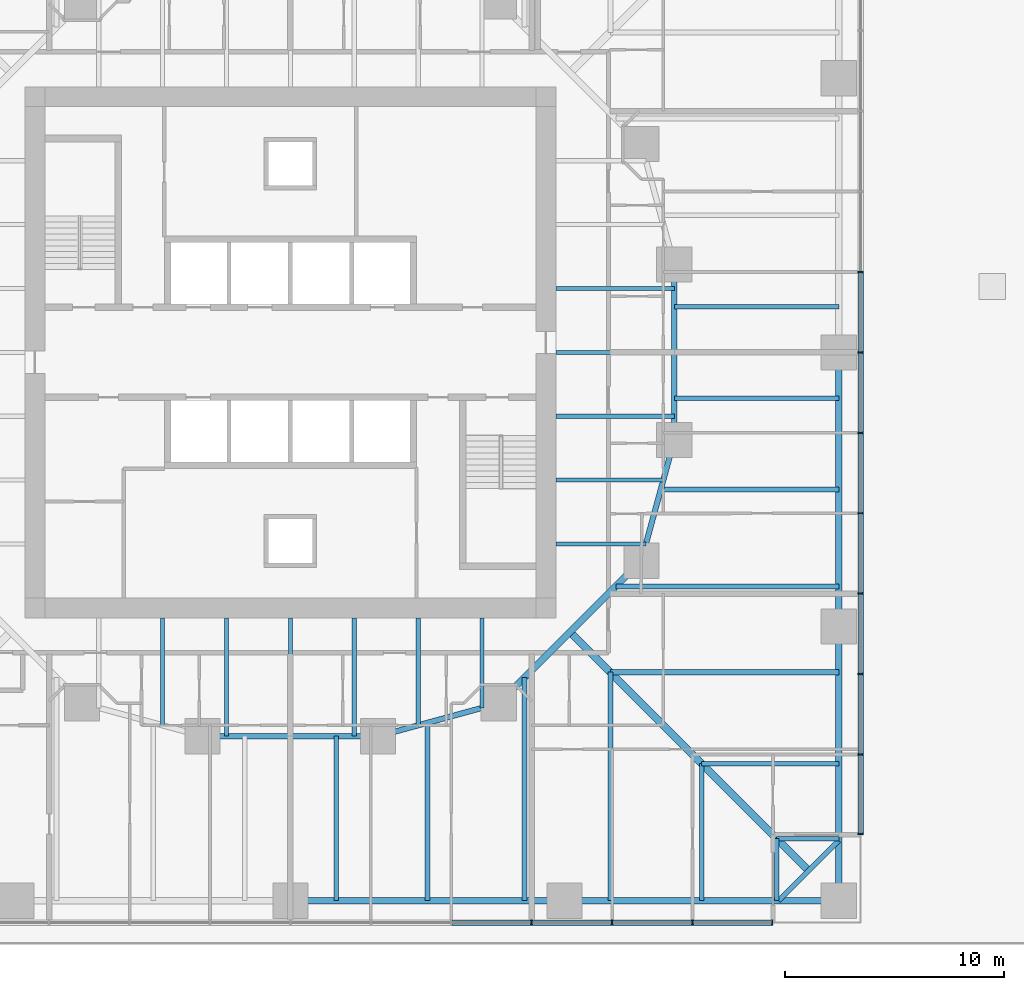
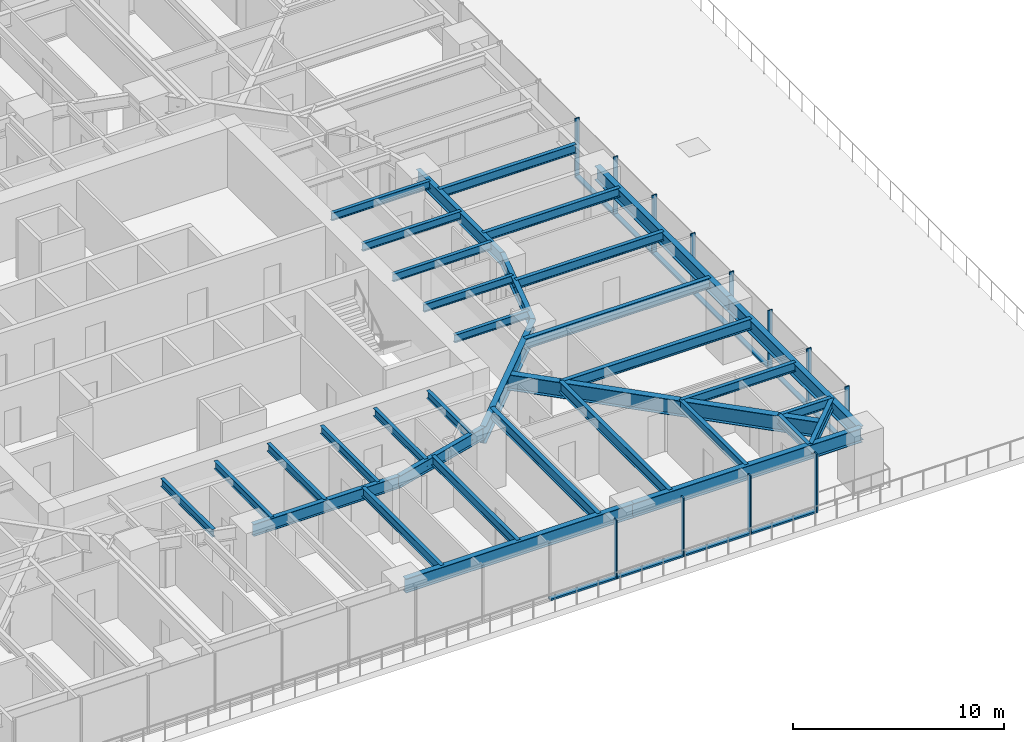
# One storey, part 3 of 15: 35 beams, 23 members, 2 elements without a shape of their own.
"""IFC4 building model written with IfcOpenShell, lengths in metres."""

import ifcopenshell
import ifcopenshell.guid

model = None  # the IFC model being written
_history = None  # IfcOwnerHistory: only IFC2X3 demands one
_inside = {}  # id of a spatial element -> (the spatial element, [elements in it])
_under = {}  # id of a project, library or spatial element -> (it, [spatial elements below it])
_declared = {}  # id of a project -> (the project, [libraries it declares])
_typed = {}  # id of a type object -> (the type object, [elements of that type])
_made_of = {}  # id of a material, layer set ... -> (it, [elements and type objects made of it])


def new_model(schema):
    """Start an empty IFC model of exactly this schema.

    Asked for "IFC4X3", IfcOpenShell would pick the latest addendum, in which some entities
    have other attributes; the version numbers below select the first issue.
    IFC2X3 requires an IfcOwnerHistory on every rooted entity: one is made here for all.
    """
    global model, _history
    if schema == "IFC4X3":
        model = ifcopenshell.file(schema_version=(4, 3, 0, 0))
    else:
        model = ifcopenshell.file(schema=schema)
    _inside.clear()
    _under.clear()
    _declared.clear()
    _typed.clear()
    _made_of.clear()
    _history = None
    if model.schema == "IFC2X3":
        org = make("IfcOrganization", Name="unknown")
        user = make(
            "IfcPersonAndOrganization",
            ThePerson=make("IfcPerson", FamilyName="unknown"),
            TheOrganization=org,
        )
        app = make(
            "IfcApplication",
            ApplicationDeveloper=org,
            Version="unknown",
            ApplicationFullName="unknown",
            ApplicationIdentifier="unknown",
        )
        _history = make(
            "IfcOwnerHistory",
            OwningUser=user,
            OwningApplication=app,
            ChangeAction="ADDED",
            CreationDate=0,
        )
    return model


def make(cls, **values):
    """One entity of the class cls with the attributes given. An attribute that is None is left unset."""
    return model.create_entity(
        cls, **{name: value for name, value in values.items() if value is not None}
    )


def rooted(cls, **values):
    """An entity with a GlobalId (a new one), such as an element, a storey or a relation."""
    return make(cls, GlobalId=ifcopenshell.guid.new(), OwnerHistory=_history, **values)


def si_unit(unit_type, name, prefix=None):
    """IfcSIUnit, for example si_unit("LENGTHUNIT", "METRE", prefix="MILLI")."""
    return make("IfcSIUnit", UnitType=unit_type, Prefix=prefix, Name=name)


def assignment(units):
    """IfcUnitAssignment: the units of a project."""
    return None if units is None else make("IfcUnitAssignment", Units=units)


def point(xyz):
    """IfcCartesianPoint."""
    return None if xyz is None else make("IfcCartesianPoint", Coordinates=xyz)


def direction(xyz):
    """IfcDirection."""
    return None if xyz is None else make("IfcDirection", DirectionRatios=xyz)


def frame(location, z_axis=None, x_axis=None):
    """IfcAxis2Placement3D, a coordinate frame: its origin and axes. An axis left out is left unset."""
    return make(
        "IfcAxis2Placement3D",
        Location=point(location),
        Axis=direction(z_axis),
        RefDirection=direction(x_axis),
    )


def frame_2d(location, x_axis=None):
    """IfcAxis2Placement2D, a coordinate frame in the plane: its origin and x axis."""
    return make(
        "IfcAxis2Placement2D", Location=point(location), RefDirection=direction(x_axis)
    )


def origin():
    """The frame at (0, 0, 0) with its axes left unset."""
    return frame((0.0, 0.0, 0.0))


def origin_2d():
    """The frame at (0, 0) in the plane with its x axis left unset."""
    return frame_2d((0.0, 0.0))


def place(relative_to, where):
    """IfcLocalPlacement: puts the frame where relative to a parent placement (None: the world)."""
    return make(
        "IfcLocalPlacement", PlacementRelTo=relative_to, RelativePlacement=where
    )


def context(
    kind, dimensions, precision=None, world=None, true_north=None, identifier=None
):
    """IfcGeometricRepresentationContext, for example the 3D "Model" context."""
    return make(
        "IfcGeometricRepresentationContext",
        ContextIdentifier=identifier,
        ContextType=kind,
        CoordinateSpaceDimension=dimensions,
        Precision=precision,
        WorldCoordinateSystem=world,
        TrueNorth=true_north,
    )


def subcontext(parent, identifier, kind, view, scale=None):
    """IfcGeometricRepresentationSubContext, for example "Body" below "Model"."""
    return make(
        "IfcGeometricRepresentationSubContext",
        ContextIdentifier=identifier,
        ContextType=kind,
        ParentContext=parent,
        TargetScale=scale,
        TargetView=view,
    )


def project(units=None, contexts=None):
    """IfcProject with its units and contexts."""
    return rooted(
        "IfcProject",
        Name="project",
        RepresentationContexts=contexts,
        UnitsInContext=assignment(units),
    )


def spatial(cls, under=None, at=None, **own):
    """A site, building, storey or space (cls), placed at a placement, below another one or the project."""
    s = rooted(cls, ObjectPlacement=at, **own)
    if under is not None:
        _under.setdefault(under.id(), (under, []))[1].append(s)
    return s


def profile(cls, at=None, kind="AREA", **sizes):
    """A parametric profile (cls). Its sizes go by their IFC names, for example OverallWidth=200.0."""
    return make(cls, ProfileType=kind, Position=at, **sizes)


def rectangle(**sizes):
    """IfcRectangleProfileDef."""
    return profile("IfcRectangleProfileDef", **sizes)


def i_section(**sizes):
    """IfcIShapeProfileDef."""
    return profile("IfcIShapeProfileDef", **sizes)


def extrude(swept, where, along, depth):
    """IfcExtrudedAreaSolid: the profile swept, set in the frame where, extruded along a direction by depth."""
    return make(
        "IfcExtrudedAreaSolid",
        SweptArea=swept,
        Position=where,
        ExtrudedDirection=direction(along),
        Depth=depth,
    )


def shape(context_of_items, identifier, shape_type, items):
    """IfcShapeRepresentation: the items that make up one representation, for example the "Body"."""
    return make(
        "IfcShapeRepresentation",
        ContextOfItems=context_of_items,
        RepresentationIdentifier=identifier,
        RepresentationType=shape_type,
        Items=items,
    )


def material(Name=None, Category=None):
    """IfcMaterial."""
    return make("IfcMaterial", Name=Name, Category=Category)


def material_profile(
    of_material, cross_section, Name=None, Category=None, Priority=None
):
    """IfcMaterialProfile: a cross section and its material."""
    return make(
        "IfcMaterialProfile",
        Name=Name,
        Material=of_material,
        Profile=cross_section,
        Priority=Priority,
        Category=Category,
    )


def profile_set(profiles, Name=None, composite=None):
    """IfcMaterialProfileSet."""
    return make(
        "IfcMaterialProfileSet",
        Name=Name,
        MaterialProfiles=profiles,
        CompositeProfile=composite,
    )


def made_of(thing, what):
    """Note that an element or type object is made of a material, layer set ...; save() writes the relation."""
    if what is not None:
        _made_of.setdefault(what.id(), (what, []))[1].append(thing)
    return thing


def type_object(cls, material=None, **own):
    """A type object (cls), such as IfcWallType, which elements share."""
    return made_of(rooted(cls, **own), material)


def element(
    cls,
    number,
    at=None,
    inside=None,
    cuts=None,
    type_object=None,
    material=None,
    context=None,
    identifier="Body",
    shape_type=None,
    held_by="IfcProductDefinitionShape",
    body=None,
    shapes=None,
    **own,
):
    """One element of the class cls, such as IfcWall. Its Tag is "e" and its number.

    at: its placement. inside: the storey or other place that contains it. cuts: it is an
    opening in that element (IfcRelVoidsElement). A single representation is given by context,
    identifier, shape_type and body (its items); several are given by shapes. held_by: the class
    of the entity that holds the representations. save() writes the other relations.
    """
    e = rooted(cls, Tag="e%d" % number, ObjectPlacement=at, **own)
    if body is not None:
        shapes = [shape(context, identifier, shape_type, body)]
    if shapes is not None:
        e.Representation = make(held_by, Representations=shapes)
    if inside is not None:
        _inside.setdefault(inside.id(), (inside, []))[1].append(e)
    if cuts is not None:
        rooted(
            "IfcRelVoidsElement", RelatingBuildingElement=cuts, RelatedOpeningElement=e
        )
    if type_object is not None:
        _typed.setdefault(type_object.id(), (type_object, []))[1].append(e)
    return made_of(e, material)


def aggregate(whole, parts):
    """IfcRelAggregates: a whole, such as a stair, and the parts it consists of."""
    return rooted("IfcRelAggregates", RelatingObject=whole, RelatedObjects=parts)


def save(model, path):
    """Write the relations noted so far, then the file.

    IfcRelAggregates (storeys below a building ...), IfcRelContainedInSpatialStructure (elements
    in a storey), IfcRelDefinesByType, IfcRelAssociatesMaterial and IfcRelDeclares: one each for
    every whole, place, type object, material and project.
    """
    for whole, parts in _under.values():
        aggregate(whole, parts)
    for where, things in _inside.values():
        rooted(
            "IfcRelContainedInSpatialStructure",
            RelatedElements=things,
            RelatingStructure=where,
        )
    for kind, things in _typed.values():
        rooted("IfcRelDefinesByType", RelatedObjects=things, RelatingType=kind)
    for what, things in _made_of.values():
        rooted("IfcRelAssociatesMaterial", RelatedObjects=things, RelatingMaterial=what)
    for by, libraries in _declared.values():
        rooted("IfcRelDeclares", RelatingContext=by, RelatedDefinitions=libraries)
    model.write(path)


model = new_model("IFC4")

# Units and contexts
model_context = context("Model", 3, precision=1e-05, world=origin(), true_north=direction((0.0, 1.0)))
body_context = subcontext(model_context, "Body", "Model", "MODEL_VIEW")
ifc_project = project(units=[si_unit("LENGTHUNIT", "METRE"), si_unit("AREAUNIT", "SQUARE_METRE"), si_unit("VOLUMEUNIT", "CUBIC_METRE"), si_unit("PLANEANGLEUNIT", "RADIAN"), si_unit("MASSUNIT", "GRAM", prefix="KILO")], contexts=[model_context])

# Site, building, storey
site_placement = place(None, origin())
site = spatial("IfcSite", under=ifc_project, at=site_placement, CompositionType="ELEMENT")
building_placement = place(site_placement, origin())
building = spatial("IfcBuilding", under=site, at=building_placement, Name="Torsade Residences", CompositionType="ELEMENT")
storey_placement = place(building_placement, frame((0.0, 0.0, 15.0)))
storey = spatial("IfcBuildingStorey", under=building, at=storey_placement, Name="L03", CompositionType="ELEMENT", Elevation=15.0)

# Beams
ifc_material_1 = material(Name="Steel grade 300", Category="steel")
ifc_material_profile_1 = material_profile(ifc_material_1, i_section(OverallWidth=0.35009765625, OverallDepth=0.909912109375, WebThickness=0.011962890625, FlangeThickness=0.02490234375, at=origin_2d()), Name="900WB218")
ifc_profile_set_1 = profile_set([ifc_material_profile_1], Name="Steel grade 300")
beam_type_1 = type_object("IfcBeamType", Name="CORNER GIRDER 900WB218", PredefinedType="BEAM", material=ifc_profile_set_1)
beam_1_placement = place(storey_placement, frame((63.625, 6.375, 2.794921875), z_axis=(-0.707106781187, 0.707106781187, 0.0), x_axis=(-0.707106781187, -0.707106781187, 0.0)))
element("IfcBeam", 1, at=beam_1_placement, inside=storey, type_object=beam_type_1, Name="Corner girder 05 L04", PredefinedType="BEAM", context=body_context, shape_type="SweptSolid", body=[
    extrude(i_section(OverallWidth=0.35009765625, OverallDepth=0.909912109375, WebThickness=0.011962890625, FlangeThickness=0.02490234375, at=origin_2d()), origin(), (0.0, 0.0, 1.0), 15.379638671875),
])
ifc_material_2 = material(Name="Steel grade 300", Category="steel")
ifc_material_profile_2 = material_profile(ifc_material_2, i_section(OverallWidth=0.22802734375, OverallDepth=0.60205078125, WebThickness=0.010498046875, FlangeThickness=0.014892578125, FilletRadius=0.013916015625, at=origin_2d()), Name="610UB101")
ifc_profile_set_2 = profile_set([ifc_material_profile_2], Name="Steel grade 300")
beam_type_2 = type_object("IfcBeamType", Name="CORNER TRIMMER 610UB101", PredefinedType="BEAM", material=ifc_profile_set_2)
beam_2_placement = place(storey_placement, frame((65.0, 7.75, 2.948974609375), z_axis=(-0.707106781187, -0.707106781187, 0.0), x_axis=(0.707106781187, -0.707106781187, 0.0)))
element("IfcBeam", 2, at=beam_2_placement, inside=storey, type_object=beam_type_2, Name="Corner trimmer 05 L04", PredefinedType="BEAM", context=body_context, shape_type="SweptSolid", body=[
    extrude(i_section(OverallWidth=0.22802734375, OverallDepth=0.60205078125, WebThickness=0.010498046875, FlangeThickness=0.014892578125, FilletRadius=0.013916015625, at=origin_2d()), origin(), (0.0, 0.0, 1.0), 3.88916015625),
])

# Curtain wall, members
ifc_material_3 = material(Name="Aluminium and glass", Category="aluminium")
curtain_wall_type = type_object("IfcCurtainWallType", Name="FRITTED GLASS CURTAIN WALL LOW ZONE", PredefinedType="NOTDEFINED", material=ifc_material_3)
curtain_wall_1_placement = place(storey_placement, origin())
curtain_wall_1 = element("IfcCurtainWall", 3, at=curtain_wall_1_placement, inside=storey, type_object=curtain_wall_type, Name="Curtain wall L03 face 1", PredefinedType="NOTDEFINED")
ifc_material_4 = material(Name="Aluminium mullion", Category="aluminium")
ifc_material_profile_3 = material_profile(ifc_material_4, rectangle(XDim=0.25, YDim=0.06494140625, at=origin_2d()), Name="CURTAIN WALL MULLION 250x65")
ifc_profile_set_3 = profile_set([ifc_material_profile_3], Name="Aluminium mullion")
member_type_1 = type_object("IfcMemberType", Name="CURTAIN WALL MULLION 250x65", PredefinedType="MULLION", material=ifc_profile_set_3)
member_1_placement = place(storey_placement, frame((51.0, 4.0, 0.0), z_axis=(0.0, 0.0, 1.0), x_axis=(0.0, 1.0, 0.0)))
member_1 = element("IfcMember", 4, at=member_1_placement, type_object=member_type_1, Name="Mullion 10", PredefinedType="MULLION", context=body_context, shape_type="SweptSolid", body=[
    extrude(rectangle(XDim=0.25, YDim=0.06494140625, at=origin_2d()), origin(), (0.0, 0.0, 1.0), 3.39990234375),
])
member_2_placement = place(storey_placement, frame((54.666748046875, 4.0, 0.0), z_axis=(0.0, 0.0, 1.0), x_axis=(0.0, 1.0, 0.0)))
member_2 = element("IfcMember", 5, at=member_2_placement, type_object=member_type_1, Name="Mullion 11", PredefinedType="MULLION", context=body_context, shape_type="SweptSolid", body=[
    extrude(rectangle(XDim=0.25, YDim=0.06494140625, at=origin_2d()), origin(), (0.0, 0.0, 1.0), 3.39990234375),
])
member_3_placement = place(storey_placement, frame((58.333251953125, 4.0, 0.0), z_axis=(0.0, 0.0, 1.0), x_axis=(0.0, 1.0, 0.0)))
member_3 = element("IfcMember", 6, at=member_3_placement, type_object=member_type_1, Name="Mullion 12", PredefinedType="MULLION", context=body_context, shape_type="SweptSolid", body=[
    extrude(rectangle(XDim=0.25, YDim=0.06494140625, at=origin_2d()), origin(), (0.0, 0.0, 1.0), 3.39990234375),
])
member_4_placement = place(storey_placement, frame((61.967529296875, 4.0, 0.0), z_axis=(0.0, 0.0, 1.0), x_axis=(0.0, 1.0, 0.0)))
member_4 = element("IfcMember", 7, at=member_4_placement, type_object=member_type_1, Name="Mullion 13", PredefinedType="MULLION", context=body_context, shape_type="SweptSolid", body=[
    extrude(rectangle(XDim=0.25, YDim=0.06494140625, at=origin_2d()), origin(), (0.0, 0.0, 1.0), 3.39990234375),
])

curtain_wall_2_placement = place(storey_placement, origin())
curtain_wall_2 = element("IfcCurtainWall", 8, at=curtain_wall_2_placement, inside=storey, type_object=curtain_wall_type, Name="Curtain wall L03 face 4", PredefinedType="NOTDEFINED")
member_5_placement = place(storey_placement, frame((66.0, 8.032470703125, 0.0), z_axis=(0.0, 0.0, 1.0), x_axis=(-1.0, 0.0, 0.0)))
member_5 = element("IfcMember", 9, at=member_5_placement, type_object=member_type_1, Name="Mullion 1", PredefinedType="MULLION", context=body_context, shape_type="SweptSolid", body=[
    extrude(rectangle(XDim=0.25, YDim=0.06494140625, at=origin_2d()), origin(), (0.0, 0.0, 1.0), 3.39990234375),
])
member_6_placement = place(storey_placement, frame((66.0, 11.666748046875, 0.0), z_axis=(0.0, 0.0, 1.0), x_axis=(-1.0, 0.0, 0.0)))
member_6 = element("IfcMember", 10, at=member_6_placement, type_object=member_type_1, Name="Mullion 2", PredefinedType="MULLION", context=body_context, shape_type="SweptSolid", body=[
    extrude(rectangle(XDim=0.25, YDim=0.06494140625, at=origin_2d()), origin(), (0.0, 0.0, 1.0), 3.39990234375),
])
member_7_placement = place(storey_placement, frame((66.0, 15.333251953125, 0.0), z_axis=(0.0, 0.0, 1.0), x_axis=(-1.0, 0.0, 0.0)))
member_7 = element("IfcMember", 11, at=member_7_placement, type_object=member_type_1, Name="Mullion 3", PredefinedType="MULLION", context=body_context, shape_type="SweptSolid", body=[
    extrude(rectangle(XDim=0.25, YDim=0.06494140625, at=origin_2d()), origin(), (0.0, 0.0, 1.0), 3.39990234375),
])
member_8_placement = place(storey_placement, frame((66.0, 19.0, 0.0), z_axis=(0.0, 0.0, 1.0), x_axis=(-1.0, 0.0, 0.0)))
member_8 = element("IfcMember", 12, at=member_8_placement, type_object=member_type_1, Name="Mullion 4", PredefinedType="MULLION", context=body_context, shape_type="SweptSolid", body=[
    extrude(rectangle(XDim=0.25, YDim=0.06494140625, at=origin_2d()), origin(), (0.0, 0.0, 1.0), 3.39990234375),
])
member_9_placement = place(storey_placement, frame((66.0, 22.666748046875, 0.0), z_axis=(0.0, 0.0, 1.0), x_axis=(-1.0, 0.0, 0.0)))
member_9 = element("IfcMember", 13, at=member_9_placement, type_object=member_type_1, Name="Mullion 5", PredefinedType="MULLION", context=body_context, shape_type="SweptSolid", body=[
    extrude(rectangle(XDim=0.25, YDim=0.06494140625, at=origin_2d()), origin(), (0.0, 0.0, 1.0), 3.39990234375),
])
member_10_placement = place(storey_placement, frame((66.0, 26.333251953125, 0.0), z_axis=(0.0, 0.0, 1.0), x_axis=(-1.0, 0.0, 0.0)))
member_10 = element("IfcMember", 14, at=member_10_placement, type_object=member_type_1, Name="Mullion 6", PredefinedType="MULLION", context=body_context, shape_type="SweptSolid", body=[
    extrude(rectangle(XDim=0.25, YDim=0.06494140625, at=origin_2d()), origin(), (0.0, 0.0, 1.0), 3.39990234375),
])
member_11_placement = place(storey_placement, frame((66.0, 30.0, 0.0), z_axis=(0.0, 0.0, 1.0), x_axis=(-1.0, 0.0, 0.0)))
member_11 = element("IfcMember", 15, at=member_11_placement, type_object=member_type_1, Name="Mullion 7", PredefinedType="MULLION", context=body_context, shape_type="SweptSolid", body=[
    extrude(rectangle(XDim=0.25, YDim=0.06494140625, at=origin_2d()), origin(), (0.0, 0.0, 1.0), 3.39990234375),
])
member_12_placement = place(storey_placement, frame((66.0, 33.666748046875, 0.0), z_axis=(0.0, 0.0, 1.0), x_axis=(-1.0, 0.0, 0.0)))
member_12 = element("IfcMember", 16, at=member_12_placement, type_object=member_type_1, Name="Mullion 8", PredefinedType="MULLION", context=body_context, shape_type="SweptSolid", body=[
    extrude(rectangle(XDim=0.25, YDim=0.06494140625, at=origin_2d()), origin(), (0.0, 0.0, 1.0), 3.39990234375),
])

# Member
ifc_material_5 = material(Name="Aluminium transom", Category="aluminium")
ifc_material_profile_4 = material_profile(ifc_material_5, rectangle(XDim=0.25, YDim=0.10009765625, at=origin_2d()), Name="CURTAIN WALL TRANSOM 250x100")
ifc_profile_set_4 = profile_set([ifc_material_profile_4], Name="Aluminium transom")
member_type_2 = type_object("IfcMemberType", Name="CURTAIN WALL TRANSOM 250x100", PredefinedType="USERDEFINED", material=ifc_profile_set_4)
member_13_placement = place(storey_placement, frame((47.36572265625, 4.0, 0.050048828125), z_axis=(1.0, 0.0, 0.0), x_axis=(0.0, 1.0, 0.0)))
member_13 = element("IfcMember", 17, at=member_13_placement, type_object=member_type_2, Name="Transom 9.1", ObjectType="TRANSOM", PredefinedType="USERDEFINED", context=body_context, shape_type="SweptSolid", body=[
    extrude(rectangle(XDim=0.25, YDim=0.10009765625, at=origin_2d()), origin(), (0.0, 0.0, 1.0), 3.601806640625),
])

member_14_placement = place(storey_placement, frame((51.032470703125, 4.0, 0.050048828125), z_axis=(1.0, 0.0, 0.0), x_axis=(0.0, 1.0, 0.0)))
member_14 = element("IfcMember", 18, at=member_14_placement, type_object=member_type_2, Name="Transom 10.1", ObjectType="TRANSOM", PredefinedType="USERDEFINED", context=body_context, shape_type="SweptSolid", body=[
    extrude(rectangle(XDim=0.25, YDim=0.10009765625, at=origin_2d()), origin(), (0.0, 0.0, 1.0), 3.601806640625),
])

member_15_placement = place(storey_placement, frame((54.69921875, 4.0, 0.050048828125), z_axis=(1.0, 0.0, 0.0), x_axis=(0.0, 1.0, 0.0)))
member_15 = element("IfcMember", 19, at=member_15_placement, type_object=member_type_2, Name="Transom 11.1", ObjectType="TRANSOM", PredefinedType="USERDEFINED", context=body_context, shape_type="SweptSolid", body=[
    extrude(rectangle(XDim=0.25, YDim=0.10009765625, at=origin_2d()), origin(), (0.0, 0.0, 1.0), 3.6015625),
])

member_16_placement = place(storey_placement, frame((58.36572265625, 4.0, 0.050048828125), z_axis=(1.0, 0.0, 0.0), x_axis=(0.0, 1.0, 0.0)))
member_16 = element("IfcMember", 20, at=member_16_placement, type_object=member_type_2, Name="Transom 12.1", ObjectType="TRANSOM", PredefinedType="USERDEFINED", context=body_context, shape_type="SweptSolid", body=[
    extrude(rectangle(XDim=0.25, YDim=0.10009765625, at=origin_2d()), origin(), (0.0, 0.0, 1.0), 3.5693359375),
])

aggregate(curtain_wall_1, [member_1, member_2, member_3, member_4, member_13, member_14, member_15, member_16])

member_17_placement = place(storey_placement, frame((66.0, 8.06494140625, 0.050048828125), z_axis=(0.0, 1.0, 0.0), x_axis=(-1.0, 0.0, 0.0)))
member_17 = element("IfcMember", 21, at=member_17_placement, type_object=member_type_2, Name="Transom 1.1", ObjectType="TRANSOM", PredefinedType="USERDEFINED", context=body_context, shape_type="SweptSolid", body=[
    extrude(rectangle(XDim=0.25, YDim=0.10009765625, at=origin_2d()), origin(), (0.0, 0.0, 1.0), 3.5693359375),
])

member_18_placement = place(storey_placement, frame((66.0, 11.69921875, 0.050048828125), z_axis=(0.0, 1.0, 0.0), x_axis=(-1.0, 0.0, 0.0)))
member_18 = element("IfcMember", 22, at=member_18_placement, type_object=member_type_2, Name="Transom 2.1", ObjectType="TRANSOM", PredefinedType="USERDEFINED", context=body_context, shape_type="SweptSolid", body=[
    extrude(rectangle(XDim=0.25, YDim=0.10009765625, at=origin_2d()), origin(), (0.0, 0.0, 1.0), 3.6015625),
])

member_19_placement = place(storey_placement, frame((66.0, 15.36572265625, 0.050048828125), z_axis=(0.0, 1.0, 0.0), x_axis=(-1.0, 0.0, 0.0)))
member_19 = element("IfcMember", 23, at=member_19_placement, type_object=member_type_2, Name="Transom 3.1", ObjectType="TRANSOM", PredefinedType="USERDEFINED", context=body_context, shape_type="SweptSolid", body=[
    extrude(rectangle(XDim=0.25, YDim=0.10009765625, at=origin_2d()), origin(), (0.0, 0.0, 1.0), 3.601806640625),
])

member_20_placement = place(storey_placement, frame((66.0, 19.032470703125, 0.050048828125), z_axis=(0.0, 1.0, 0.0), x_axis=(-1.0, 0.0, 0.0)))
member_20 = element("IfcMember", 24, at=member_20_placement, type_object=member_type_2, Name="Transom 4.1", ObjectType="TRANSOM", PredefinedType="USERDEFINED", context=body_context, shape_type="SweptSolid", body=[
    extrude(rectangle(XDim=0.25, YDim=0.10009765625, at=origin_2d()), origin(), (0.0, 0.0, 1.0), 3.601806640625),
])

member_21_placement = place(storey_placement, frame((66.0, 22.69921875, 0.050048828125), z_axis=(0.0, 1.0, 0.0), x_axis=(-1.0, 0.0, 0.0)))
member_21 = element("IfcMember", 25, at=member_21_placement, type_object=member_type_2, Name="Transom 5.1", ObjectType="TRANSOM", PredefinedType="USERDEFINED", context=body_context, shape_type="SweptSolid", body=[
    extrude(rectangle(XDim=0.25, YDim=0.10009765625, at=origin_2d()), origin(), (0.0, 0.0, 1.0), 3.6015625),
])

member_22_placement = place(storey_placement, frame((66.0, 26.36572265625, 0.050048828125), z_axis=(0.0, 1.0, 0.0), x_axis=(-1.0, 0.0, 0.0)))
member_22 = element("IfcMember", 26, at=member_22_placement, type_object=member_type_2, Name="Transom 6.1", ObjectType="TRANSOM", PredefinedType="USERDEFINED", context=body_context, shape_type="SweptSolid", body=[
    extrude(rectangle(XDim=0.25, YDim=0.10009765625, at=origin_2d()), origin(), (0.0, 0.0, 1.0), 3.601806640625),
])

member_23_placement = place(storey_placement, frame((66.0, 30.032470703125, 0.050048828125), z_axis=(0.0, 1.0, 0.0), x_axis=(-1.0, 0.0, 0.0)))
member_23 = element("IfcMember", 27, at=member_23_placement, type_object=member_type_2, Name="Transom 7.1", ObjectType="TRANSOM", PredefinedType="USERDEFINED", context=body_context, shape_type="SweptSolid", body=[
    extrude(rectangle(XDim=0.25, YDim=0.10009765625, at=origin_2d()), origin(), (0.0, 0.0, 1.0), 3.601806640625),
])

aggregate(curtain_wall_2, [member_5, member_6, member_7, member_8, member_9, member_10, member_11, member_12, member_17, member_18, member_19, member_20, member_21, member_22, member_23])

# Beams
ifc_material_6 = material(Name="Steel grade 300", Category="steel")
ifc_material_profile_5 = material_profile(ifc_material_6, i_section(OverallWidth=0.300048828125, OverallDepth=0.81591796875, WebThickness=0.010009765625, FlangeThickness=0.028076171875, at=origin_2d()), Name="800WB192")
ifc_profile_set_5 = profile_set([ifc_material_profile_5], Name="Steel grade 300")
beam_type_3 = type_object("IfcBeamType", Name="EDGE BEAM 800WB192", PredefinedType="SPANDREL", material=ifc_profile_set_5)
for number, where, z_axis, x_axis, name in (
    (28, (40.0, 5.0, 2.842041015625), (1.0, 0.0, 0.0), (0.0, 1.0, 0.0), "Edge beam 03 L04"),
    (29, (52.5, 5.0, 2.842041015625), (1.0, 0.0, 0.0), (0.0, 1.0, 0.0), "Edge beam 04 L04"),
    (30, (65.0, 5.0, 2.842041015625), (0.0, 1.0, 0.0), (-1.0, 0.0, 0.0), "Edge beam 05 L04"),
    (31, (65.0, 17.5, 2.842041015625), (0.0, 1.0, 0.0), (-1.0, 0.0, 0.0), "Edge beam 06 L04"),
):
    element("IfcBeam", number, at=place(storey_placement, frame(where, z_axis=z_axis, x_axis=x_axis)), inside=storey, type_object=beam_type_3, Name=name, PredefinedType="SPANDREL", context=body_context, shape_type="SweptSolid", body=[
        extrude(i_section(OverallWidth=0.300048828125, OverallDepth=0.81591796875, WebThickness=0.010009765625, FlangeThickness=0.028076171875, at=origin_2d()), origin(), (0.0, 0.0, 1.0), 12.5),
    ])
ifc_material_7 = material(Name="Steel grade 300", Category="steel")
ifc_material_profile_6 = material_profile(ifc_material_7, i_section(OverallWidth=0.18994140625, OverallDepth=0.4541015625, WebThickness=0.008544921875, FlangeThickness=0.0126953125, FilletRadius=0.011474609375, at=origin_2d()), Name="460UB67.1")
ifc_profile_set_6 = profile_set([ifc_material_profile_6], Name="Steel grade 300")
beam_type_4 = type_object("IfcBeamType", Name="INNER FLOOR BEAM 460UB67.1", PredefinedType="JOIST", material=ifc_profile_set_6)
beam_3_placement = place(storey_placement, frame((48.737548828125, 17.89990234375, 3.02294921875), z_axis=(0.0, -1.0, 0.0), x_axis=(1.0, 0.0, 0.0)))
element("IfcBeam", 32, at=beam_3_placement, inside=storey, type_object=beam_type_4, Name="Inner floor beam IS01 L04", PredefinedType="JOIST", context=body_context, shape_type="SweptSolid", body=[
    extrude(i_section(OverallWidth=0.18994140625, OverallDepth=0.4541015625, WebThickness=0.008544921875, FlangeThickness=0.0126953125, FilletRadius=0.011474609375, at=origin_2d()), origin(), (0.0, 0.0, 1.0), 4.10791015625),
])
beam_4_placement = place(storey_placement, frame((45.824951171875, 17.89990234375, 3.02294921875), z_axis=(0.0, -1.0, 0.0), x_axis=(1.0, 0.0, 0.0)))
element("IfcBeam", 33, at=beam_4_placement, inside=storey, type_object=beam_type_4, Name="Inner floor beam IS02 L04", PredefinedType="JOIST", context=body_context, shape_type="SweptSolid", body=[
    extrude(i_section(OverallWidth=0.18994140625, OverallDepth=0.4541015625, WebThickness=0.008544921875, FlangeThickness=0.0126953125, FilletRadius=0.011474609375, at=origin_2d()), origin(), (0.0, 0.0, 1.0), 4.902099609375),
])
for number, where, z_axis, x_axis, name in (
    (34, (42.91259765625, 17.89990234375, 3.02294921875), (0.0, -1.0, 0.0), (1.0, 0.0, 0.0), "Inner floor beam IS03 L04"),
    (35, (40.0, 17.89990234375, 3.02294921875), (0.0, -1.0, 0.0), (1.0, 0.0, 0.0), "Inner floor beam IS04 L04"),
    (36, (37.08740234375, 17.89990234375, 3.02294921875), (0.0, -1.0, 0.0), (1.0, 0.0, 0.0), "Inner floor beam IS05 L04"),
):
    element("IfcBeam", number, at=place(storey_placement, frame(where, z_axis=z_axis, x_axis=x_axis)), inside=storey, type_object=beam_type_4, Name=name, PredefinedType="JOIST", context=body_context, shape_type="SweptSolid", body=[
        extrude(i_section(OverallWidth=0.18994140625, OverallDepth=0.4541015625, WebThickness=0.008544921875, FlangeThickness=0.0126953125, FilletRadius=0.011474609375, at=origin_2d()), origin(), (0.0, 0.0, 1.0), 5.39990234375),
    ])
beam_5_placement = place(storey_placement, frame((34.175048828125, 17.89990234375, 3.02294921875), z_axis=(0.0, -1.0, 0.0), x_axis=(1.0, 0.0, 0.0)))
element("IfcBeam", 37, at=beam_5_placement, inside=storey, type_object=beam_type_4, Name="Inner floor beam IS06 L04", PredefinedType="JOIST", context=body_context, shape_type="SweptSolid", body=[
    extrude(i_section(OverallWidth=0.18994140625, OverallDepth=0.4541015625, WebThickness=0.008544921875, FlangeThickness=0.0126953125, FilletRadius=0.011474609375, at=origin_2d()), origin(), (0.0, 0.0, 1.0), 4.902099609375),
])
beam_6_placement = place(storey_placement, frame((52.10009765625, 21.262451171875, 3.02294921875), z_axis=(1.0, 0.0, 0.0), x_axis=(0.0, 1.0, 0.0)))
element("IfcBeam", 38, at=beam_6_placement, inside=storey, type_object=beam_type_4, Name="Inner floor beam IE01 L04", PredefinedType="JOIST", context=body_context, shape_type="SweptSolid", body=[
    extrude(i_section(OverallWidth=0.18994140625, OverallDepth=0.4541015625, WebThickness=0.008544921875, FlangeThickness=0.0126953125, FilletRadius=0.011474609375, at=origin_2d()), origin(), (0.0, 0.0, 1.0), 4.10791015625),
])
beam_7_placement = place(storey_placement, frame((52.10009765625, 24.175048828125, 3.02294921875), z_axis=(1.0, 0.0, 0.0), x_axis=(0.0, 1.0, 0.0)))
element("IfcBeam", 39, at=beam_7_placement, inside=storey, type_object=beam_type_4, Name="Inner floor beam IE02 L04", PredefinedType="JOIST", context=body_context, shape_type="SweptSolid", body=[
    extrude(i_section(OverallWidth=0.18994140625, OverallDepth=0.4541015625, WebThickness=0.008544921875, FlangeThickness=0.0126953125, FilletRadius=0.011474609375, at=origin_2d()), origin(), (0.0, 0.0, 1.0), 4.902099609375),
])
for number, where, z_axis, x_axis, name in (
    (40, (52.10009765625, 27.08740234375, 3.02294921875), (1.0, 0.0, 0.0), (0.0, 1.0, 0.0), "Inner floor beam IE03 L04"),
    (41, (52.10009765625, 30.0, 3.02294921875), (1.0, 0.0, 0.0), (0.0, 1.0, 0.0), "Inner floor beam IE04 L04"),
    (42, (52.10009765625, 32.91259765625, 3.02294921875), (1.0, 0.0, 0.0), (0.0, 1.0, 0.0), "Inner floor beam IE05 L04"),
):
    element("IfcBeam", number, at=place(storey_placement, frame(where, z_axis=z_axis, x_axis=x_axis)), inside=storey, type_object=beam_type_4, Name=name, PredefinedType="JOIST", context=body_context, shape_type="SweptSolid", body=[
        extrude(i_section(OverallWidth=0.18994140625, OverallDepth=0.4541015625, WebThickness=0.008544921875, FlangeThickness=0.0126953125, FilletRadius=0.011474609375, at=origin_2d()), origin(), (0.0, 0.0, 1.0), 5.39990234375),
    ])
ifc_material_8 = material(Name="Steel grade 300", Category="steel")
ifc_material_profile_7 = material_profile(ifc_material_8, i_section(OverallWidth=0.300048828125, OverallDepth=1.0, WebThickness=0.01611328125, FlangeThickness=0.028076171875, at=origin_2d()), Name="1000WB215")
ifc_profile_set_7 = profile_set([ifc_material_profile_7], Name="Steel grade 300")
beam_type_5 = type_object("IfcBeamType", Name="RING CORNER GIRDER 1000WB215", PredefinedType="BEAM", material=ifc_profile_set_7)
beam_8_placement = place(storey_placement, frame((49.5, 14.0, 2.75), z_axis=(0.707106781187, 0.707106781187, 0.0), x_axis=(-0.707106781187, 0.707106781187, 0.0)))
element("IfcBeam", 43, at=beam_8_placement, inside=storey, type_object=beam_type_5, Name="Ring girder IR15 L04", PredefinedType="BEAM", context=body_context, shape_type="SweptSolid", body=[
    extrude(i_section(OverallWidth=0.300048828125, OverallDepth=1.0, WebThickness=0.01611328125, FlangeThickness=0.028076171875, at=origin_2d()), origin(), (0.0, 0.0, 1.0), 9.1923828125),
])
ifc_material_9 = material(Name="Steel grade 300", Category="steel")
ifc_material_profile_8 = material_profile(ifc_material_9, i_section(OverallWidth=0.25, OverallDepth=0.699951171875, WebThickness=0.010009765625, FlangeThickness=0.02001953125, at=origin_2d()), Name="700WB130")
ifc_profile_set_8 = profile_set([ifc_material_profile_8], Name="Steel grade 300")
beam_type_6 = type_object("IfcBeamType", Name="RING GIRDER 700WB130", PredefinedType="BEAM", material=ifc_profile_set_8)
for number, where, z_axis, x_axis, name in (
    (44, (57.5, 26.0, 2.89990234375), (0.0, 1.0, 0.0), (-1.0, 0.0, 0.0), "Ring girder IR01 L04"),
    (45, (36.0, 12.5, 2.89990234375), (1.0, 0.0, 0.0), (0.0, 1.0, 0.0), "Ring girder IR13 L04"),
):
    element("IfcBeam", number, at=place(storey_placement, frame(where, z_axis=z_axis, x_axis=x_axis)), inside=storey, type_object=beam_type_6, Name=name, PredefinedType="BEAM", context=body_context, shape_type="SweptSolid", body=[
        extrude(i_section(OverallWidth=0.25, OverallDepth=0.699951171875, WebThickness=0.010009765625, FlangeThickness=0.02001953125, at=origin_2d()), origin(), (0.0, 0.0, 1.0), 8.0),
    ])
for number, where, z_axis, x_axis, name in (
    (46, (44.0, 12.5, 2.89990234375), (0.964763821238, 0.263117405792, 0.0), (-0.263117405792, 0.964763821238, 0.0), "Ring girder IR14 L04"),
    (47, (56.0, 20.5, 2.89990234375), (0.263117405792, 0.964763821238, 0.0), (-0.964763821238, 0.263117405792, 0.0), "Ring girder IR16 L04"),
):
    element("IfcBeam", number, at=place(storey_placement, frame(where, z_axis=z_axis, x_axis=x_axis)), inside=storey, type_object=beam_type_6, Name=name, PredefinedType="BEAM", context=body_context, shape_type="SweptSolid", body=[
        extrude(i_section(OverallWidth=0.25, OverallDepth=0.699951171875, WebThickness=0.010009765625, FlangeThickness=0.02001953125, at=origin_2d()), origin(), (0.0, 0.0, 1.0), 5.700927734375),
    ])
ifc_material_10 = material(Name="Steel grade 300", Category="steel")
ifc_material_profile_9 = material_profile(ifc_material_10, i_section(OverallWidth=0.208984375, OverallDepth=0.528076171875, WebThickness=0.009521484375, FlangeThickness=0.01318359375, FilletRadius=0.013916015625, at=origin_2d()), Name="530UB82.0")
ifc_profile_set_9 = profile_set([ifc_material_profile_9], Name="Steel grade 300")
beam_type_7 = type_object("IfcBeamType", Name="SECONDARY BEAM 530UB82.0", PredefinedType="JOIST", material=ifc_profile_set_9)
beam_9_placement = place(storey_placement, frame((42.083251953125, 5.0, 2.986083984375), z_axis=(0.0, 1.0, 0.0), x_axis=(-1.0, 0.0, 0.0)))
element("IfcBeam", 48, at=beam_9_placement, inside=storey, type_object=beam_type_7, Name="Floor beam FS07 L04", PredefinedType="JOIST", context=body_context, shape_type="SweptSolid", body=[
    extrude(i_section(OverallWidth=0.208984375, OverallDepth=0.528076171875, WebThickness=0.009521484375, FlangeThickness=0.01318359375, FilletRadius=0.013916015625, at=origin_2d()), origin(), (0.0, 0.0, 1.0), 7.5),
])
beam_10_placement = place(storey_placement, frame((46.25, 5.0, 2.986083984375), z_axis=(0.0, 1.0, 0.0), x_axis=(-1.0, 0.0, 0.0)))
element("IfcBeam", 49, at=beam_10_placement, inside=storey, type_object=beam_type_7, Name="Floor beam FS08 L04", PredefinedType="JOIST", context=body_context, shape_type="SweptSolid", body=[
    extrude(i_section(OverallWidth=0.208984375, OverallDepth=0.528076171875, WebThickness=0.009521484375, FlangeThickness=0.01318359375, FilletRadius=0.013916015625, at=origin_2d()), origin(), (0.0, 0.0, 1.0), 8.113525390625),
])
beam_11_placement = place(storey_placement, frame((58.75, 5.0, 2.986083984375), z_axis=(0.0, 1.0, 0.0), x_axis=(-1.0, 0.0, 0.0)))
element("IfcBeam", 50, at=beam_11_placement, inside=storey, type_object=beam_type_7, Name="Floor beam FS11 L04", PredefinedType="JOIST", context=body_context, shape_type="SweptSolid", body=[
    extrude(i_section(OverallWidth=0.208984375, OverallDepth=0.528076171875, WebThickness=0.009521484375, FlangeThickness=0.01318359375, FilletRadius=0.013916015625, at=origin_2d()), origin(), (0.0, 0.0, 1.0), 6.25),
])
for number, where, z_axis, x_axis, name in (
    (51, (62.166748046875, 5.0, 2.986083984375), (0.0, 1.0, 0.0), (-1.0, 0.0, 0.0), "Floor beam FS12 L04"),
    (52, (65.0, 7.833251953125, 2.986083984375), (-1.0, 0.0, 0.0), (0.0, -1.0, 0.0), "Floor beam FE01 L04"),
):
    element("IfcBeam", number, at=place(storey_placement, frame(where, z_axis=z_axis, x_axis=x_axis)), inside=storey, type_object=beam_type_7, Name=name, PredefinedType="JOIST", context=body_context, shape_type="SweptSolid", body=[
        extrude(i_section(OverallWidth=0.208984375, OverallDepth=0.528076171875, WebThickness=0.009521484375, FlangeThickness=0.01318359375, FilletRadius=0.013916015625, at=origin_2d()), origin(), (0.0, 0.0, 1.0), 2.833251953125),
    ])
beam_12_placement = place(storey_placement, frame((65.0, 11.25, 2.986083984375), z_axis=(-1.0, 0.0, 0.0), x_axis=(0.0, -1.0, 0.0)))
element("IfcBeam", 53, at=beam_12_placement, inside=storey, type_object=beam_type_7, Name="Floor beam FE02 L04", PredefinedType="JOIST", context=body_context, shape_type="SweptSolid", body=[
    extrude(i_section(OverallWidth=0.208984375, OverallDepth=0.528076171875, WebThickness=0.009521484375, FlangeThickness=0.01318359375, FilletRadius=0.013916015625, at=origin_2d()), origin(), (0.0, 0.0, 1.0), 6.25),
])
beam_13_placement = place(storey_placement, frame((65.0, 23.75, 2.986083984375), z_axis=(-1.0, 0.0, 0.0), x_axis=(0.0, -1.0, 0.0)))
element("IfcBeam", 54, at=beam_13_placement, inside=storey, type_object=beam_type_7, Name="Floor beam FE05 L04", PredefinedType="JOIST", context=body_context, shape_type="SweptSolid", body=[
    extrude(i_section(OverallWidth=0.208984375, OverallDepth=0.528076171875, WebThickness=0.009521484375, FlangeThickness=0.01318359375, FilletRadius=0.013916015625, at=origin_2d()), origin(), (0.0, 0.0, 1.0), 8.113525390625),
])
for number, where, z_axis, x_axis, name in (
    (55, (65.0, 27.916748046875, 2.986083984375), (-1.0, 0.0, 0.0), (0.0, -1.0, 0.0), "Floor beam FE06 L04"),
    (56, (65.0, 32.083251953125, 2.986083984375), (-1.0, 0.0, 0.0), (0.0, -1.0, 0.0), "Floor beam FE07 L04"),
):
    element("IfcBeam", number, at=place(storey_placement, frame(where, z_axis=z_axis, x_axis=x_axis)), inside=storey, type_object=beam_type_7, Name=name, PredefinedType="JOIST", context=body_context, shape_type="SweptSolid", body=[
        extrude(i_section(OverallWidth=0.208984375, OverallDepth=0.528076171875, WebThickness=0.009521484375, FlangeThickness=0.01318359375, FilletRadius=0.013916015625, at=origin_2d()), origin(), (0.0, 0.0, 1.0), 7.5),
    ])
ifc_material_11 = material(Name="Steel grade 300", Category="steel")
ifc_material_profile_10 = material_profile(ifc_material_11, i_section(OverallWidth=0.22900390625, OverallDepth=0.612060546875, WebThickness=0.011962890625, FlangeThickness=0.01953125, FilletRadius=0.013916015625, at=origin_2d()), Name="610UB125")
ifc_profile_set_10 = profile_set([ifc_material_profile_10], Name="Steel grade 300")
beam_type_8 = type_object("IfcBeamType", Name="SECONDARY BEAM 610UB125", PredefinedType="JOIST", material=ifc_profile_set_10)
beam_14_placement = place(storey_placement, frame((50.666748046875, 5.0, 2.944091796875), z_axis=(0.0, 1.0, 0.0), x_axis=(-1.0, 0.0, 0.0)))
element("IfcBeam", 57, at=beam_14_placement, inside=storey, type_object=beam_type_8, Name="Floor beam FS09 L04", PredefinedType="JOIST", context=body_context, shape_type="SweptSolid", body=[
    extrude(i_section(OverallWidth=0.22900390625, OverallDepth=0.612060546875, WebThickness=0.011962890625, FlangeThickness=0.01953125, FilletRadius=0.013916015625, at=origin_2d()), origin(), (0.0, 0.0, 1.0), 10.166748046875),
])
for number, where, z_axis, x_axis, name in (
    (58, (54.583251953125, 5.0, 2.944091796875), (0.0, 1.0, 0.0), (-1.0, 0.0, 0.0), "Floor beam FS10 L04"),
    (59, (65.0, 15.416748046875, 2.944091796875), (-1.0, 0.0, 0.0), (0.0, -1.0, 0.0), "Floor beam FE03 L04"),
):
    element("IfcBeam", number, at=place(storey_placement, frame(where, z_axis=z_axis, x_axis=x_axis)), inside=storey, type_object=beam_type_8, Name=name, PredefinedType="JOIST", context=body_context, shape_type="SweptSolid", body=[
        extrude(i_section(OverallWidth=0.22900390625, OverallDepth=0.612060546875, WebThickness=0.011962890625, FlangeThickness=0.01953125, FilletRadius=0.013916015625, at=origin_2d()), origin(), (0.0, 0.0, 1.0), 10.416748046875),
    ])
beam_15_placement = place(storey_placement, frame((65.0, 19.333251953125, 2.944091796875), z_axis=(-1.0, 0.0, 0.0), x_axis=(0.0, -1.0, 0.0)))
element("IfcBeam", 60, at=beam_15_placement, inside=storey, type_object=beam_type_8, Name="Floor beam FE04 L04", PredefinedType="JOIST", context=body_context, shape_type="SweptSolid", body=[
    extrude(i_section(OverallWidth=0.22900390625, OverallDepth=0.612060546875, WebThickness=0.011962890625, FlangeThickness=0.01953125, FilletRadius=0.013916015625, at=origin_2d()), origin(), (0.0, 0.0, 1.0), 10.166748046875),
])

save(model, "model.ifc")
